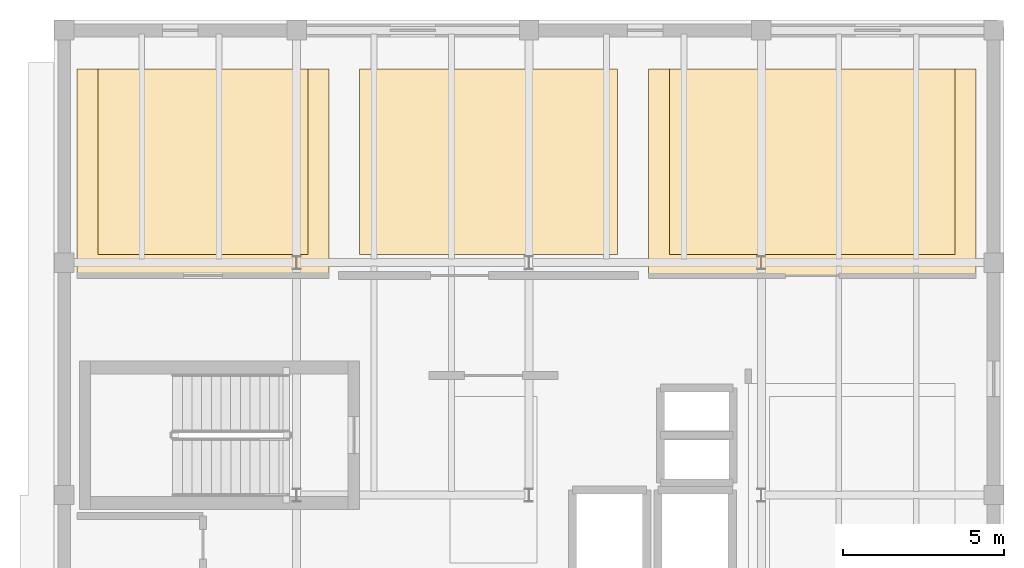
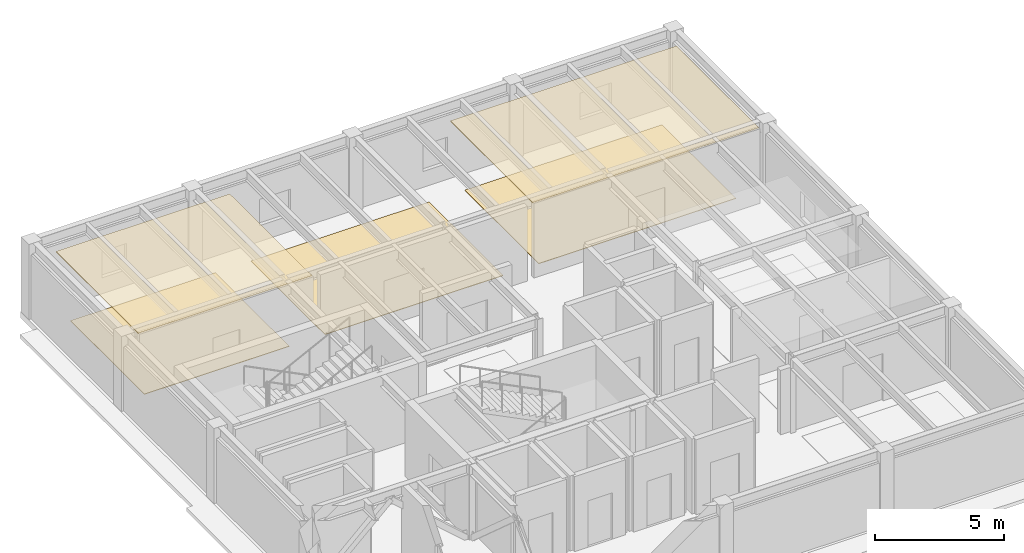
# One storey, part 8 of 8: 5 coverings.
"""IFC4 building model written with IfcOpenShell, lengths in metres."""

from ifc_helpers import new_model, si_unit, direction, frame, origin, place, context, subcontext, project, spatial, polyline, outline, extrude, material, layer, layer_set, type_object, element, save


model = new_model("IFC4")

# Units and contexts
model_context = context("Model", 3, precision=1e-05, world=origin(), true_north=direction((0.0, 1.0)))
body_context = subcontext(model_context, "Body", "Model", "MODEL_VIEW")
ifc_project = project(units=[si_unit("LENGTHUNIT", "METRE"), si_unit("AREAUNIT", "SQUARE_METRE"), si_unit("VOLUMEUNIT", "CUBIC_METRE"), si_unit("PLANEANGLEUNIT", "RADIAN"), si_unit("MASSUNIT", "GRAM", prefix="KILO")], contexts=[model_context])

# Site, building, storey
site_placement = place(None, origin())
site = spatial("IfcSite", under=ifc_project, at=site_placement, CompositionType="ELEMENT")
building_placement = place(site_placement, origin())
building = spatial("IfcBuilding", under=site, at=building_placement, Name="Kandorven Conservatory and Botanical Research Centre", CompositionType="ELEMENT")
storey_placement = place(building_placement, frame((0.0, 0.0, 32.699951171875)))
storey = spatial("IfcBuildingStorey", under=building, at=storey_placement, Name="L08", CompositionType="ELEMENT", Elevation=32.699951171875)

# Coverings
ifc_material_1 = material(Name="Perforated mineral-fibre acoustic ceiling tile", Category="gypsum")
ifc_layer_1 = layer(ifc_material_1, 0.0400390625)
ifc_layer_set_1 = layer_set([ifc_layer_1], Name="Perforated mineral-fibre acoustic ceiling tile")
covering_type_1 = type_object("IfcCoveringType", Name="Cov_Ceiling_1", PredefinedType="CEILING", material=ifc_layer_set_1)
covering_1_placement = place(storey_placement, frame((0.0, 0.0, 3.5)))
element("IfcCovering", 1, at=covering_1_placement, inside=storey, type_object=covering_type_1, Name="Suspended acoustic ceiling CLG-01 (Ethnobotany Field Specimen Studio L08)", PredefinedType="CEILING", context=body_context, shape_type="SweptSolid", body=[
    extrude(outline(polyline([(6.39990234375, 27.199951171875), (14.199951171875, 27.199951171875), (14.199951171875, 33.60009765625), (6.39990234375, 33.60009765625), (6.39990234375, 27.199951171875)])), origin(), (0.0, 0.0, 1.0), 0.0400390625),
])
covering_2_placement = place(storey_placement, frame((0.0, 0.0, 3.5)))
element("IfcCovering", 2, at=covering_2_placement, inside=storey, type_object=covering_type_1, Name="Suspended acoustic ceiling CLG-01 (Palynology Research Laboratory L08)", PredefinedType="CEILING", context=body_context, shape_type="SweptSolid", body=[
    extrude(outline(polyline([(24.10009765625, 27.199951171875), (34.25, 27.199951171875), (34.25, 33.60009765625), (24.10009765625, 33.60009765625), (24.10009765625, 27.199951171875)])), origin(), (0.0, 0.0, 1.0), 0.0400390625),
])
ifc_material_2 = material(Name="Honed Kota stone and epoxy laboratory flooring", Category="masonry")
ifc_layer_2 = layer(ifc_material_2, 0.02490234375)
ifc_layer_set_2 = layer_set([ifc_layer_2], Name="Honed Kota stone and epoxy laboratory flooring")
covering_type_2 = type_object("IfcCoveringType", Name="Cov_Flooring_1", PredefinedType="FLOORING", material=ifc_layer_set_2)
covering_3_placement = place(storey_placement, origin())
element("IfcCovering", 3, at=covering_3_placement, inside=storey, type_object=covering_type_2, Name="Floor finish FLR-01 (Ethnobotany Field Specimen Studio L08)", PredefinedType="FLOORING", context=body_context, shape_type="SweptSolid", body=[
    extrude(outline(polyline([(7.050048828125, 27.85009765625), (13.550048828125, 27.85009765625), (13.550048828125, 33.60009765625), (7.050048828125, 33.60009765625), (7.050048828125, 27.85009765625)])), origin(), (0.0, 0.0, 1.0), 0.025146484375),
])
covering_4_placement = place(storey_placement, origin())
element("IfcCovering", 4, at=covering_4_placement, inside=storey, type_object=covering_type_2, Name="Floor finish FLR-01 (Herbarium Cryptogamic Collection Archive L08)", PredefinedType="FLOORING", context=body_context, shape_type="SweptSolid", body=[
    extrude(outline(polyline([(15.14990234375, 27.85009765625), (23.14990234375, 27.85009765625), (23.14990234375, 33.60009765625), (15.14990234375, 33.60009765625), (15.14990234375, 27.85009765625)])), origin(), (0.0, 0.0, 1.0), 0.025146484375),
])
covering_5_placement = place(storey_placement, origin())
element("IfcCovering", 5, at=covering_5_placement, inside=storey, type_object=covering_type_2, Name="Floor finish FLR-01 (Palynology Research Laboratory L08)", PredefinedType="FLOORING", context=body_context, shape_type="SweptSolid", body=[
    extrude(outline(polyline([(24.75, 27.85009765625), (33.60009765625, 27.85009765625), (33.60009765625, 33.60009765625), (24.75, 33.60009765625), (24.75, 27.85009765625)])), origin(), (0.0, 0.0, 1.0), 0.025146484375),
])

save(model, "model.ifc")
